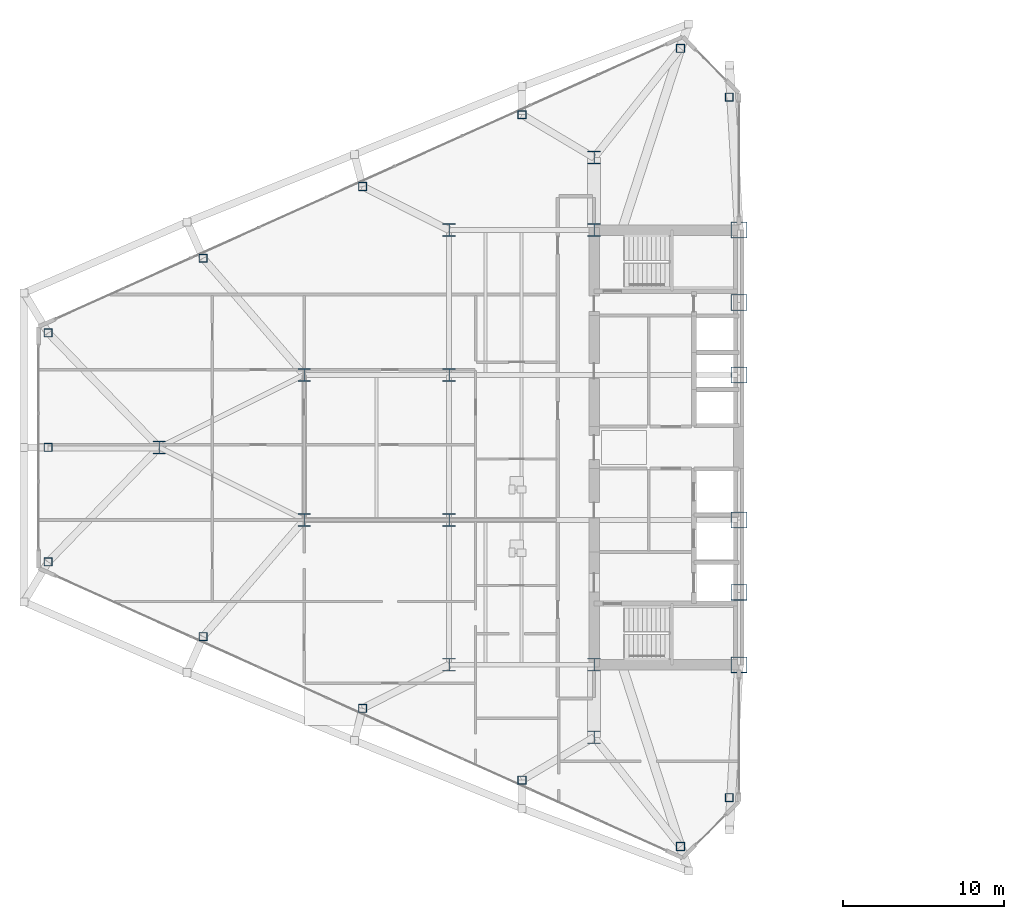
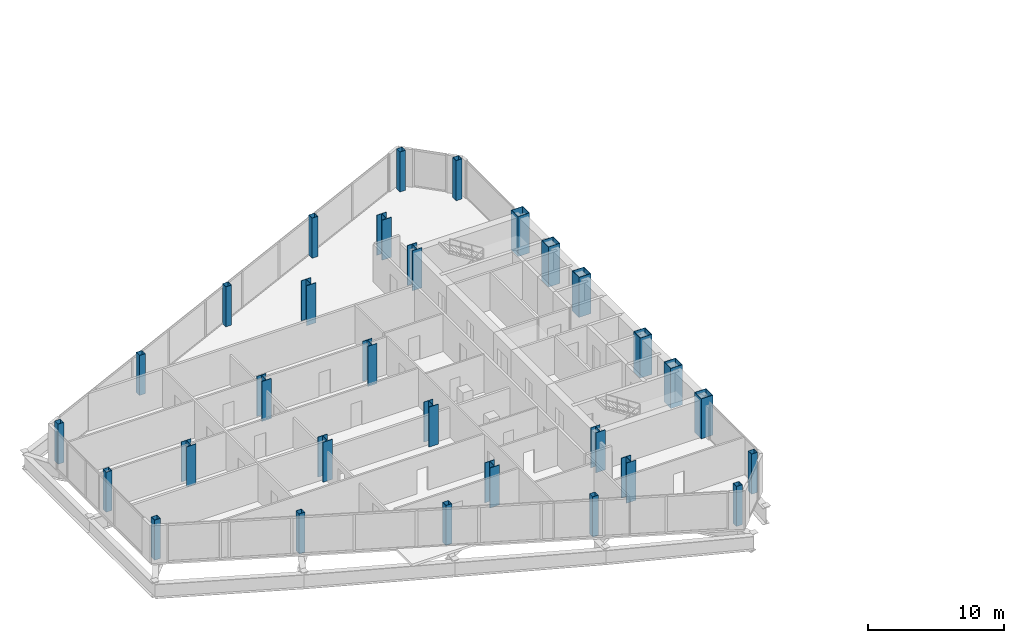
# One storey, part 1 of 29: 30 columns.
"""IFC4 building model written with IfcOpenShell, lengths in metres."""

import ifcopenshell
import ifcopenshell.guid

model = None  # the IFC model being written
_history = None  # IfcOwnerHistory: only IFC2X3 demands one
_inside = {}  # id of a spatial element -> (the spatial element, [elements in it])
_under = {}  # id of a project, library or spatial element -> (it, [spatial elements below it])
_declared = {}  # id of a project -> (the project, [libraries it declares])
_typed = {}  # id of a type object -> (the type object, [elements of that type])
_made_of = {}  # id of a material, layer set ... -> (it, [elements and type objects made of it])


def new_model(schema):
    """Start an empty IFC model of exactly this schema.

    Asked for "IFC4X3", IfcOpenShell would pick the latest addendum, in which some entities
    have other attributes; the version numbers below select the first issue.
    IFC2X3 requires an IfcOwnerHistory on every rooted entity: one is made here for all.
    """
    global model, _history
    if schema == "IFC4X3":
        model = ifcopenshell.file(schema_version=(4, 3, 0, 0))
    else:
        model = ifcopenshell.file(schema=schema)
    _inside.clear()
    _under.clear()
    _declared.clear()
    _typed.clear()
    _made_of.clear()
    _history = None
    if model.schema == "IFC2X3":
        org = make("IfcOrganization", Name="unknown")
        user = make(
            "IfcPersonAndOrganization",
            ThePerson=make("IfcPerson", FamilyName="unknown"),
            TheOrganization=org,
        )
        app = make(
            "IfcApplication",
            ApplicationDeveloper=org,
            Version="unknown",
            ApplicationFullName="unknown",
            ApplicationIdentifier="unknown",
        )
        _history = make(
            "IfcOwnerHistory",
            OwningUser=user,
            OwningApplication=app,
            ChangeAction="ADDED",
            CreationDate=0,
        )
    return model


def make(cls, **values):
    """One entity of the class cls with the attributes given. An attribute that is None is left unset."""
    return model.create_entity(
        cls, **{name: value for name, value in values.items() if value is not None}
    )


def rooted(cls, **values):
    """An entity with a GlobalId (a new one), such as an element, a storey or a relation."""
    return make(cls, GlobalId=ifcopenshell.guid.new(), OwnerHistory=_history, **values)


def si_unit(unit_type, name, prefix=None):
    """IfcSIUnit, for example si_unit("LENGTHUNIT", "METRE", prefix="MILLI")."""
    return make("IfcSIUnit", UnitType=unit_type, Prefix=prefix, Name=name)


def assignment(units):
    """IfcUnitAssignment: the units of a project."""
    return None if units is None else make("IfcUnitAssignment", Units=units)


def point(xyz):
    """IfcCartesianPoint."""
    return None if xyz is None else make("IfcCartesianPoint", Coordinates=xyz)


def direction(xyz):
    """IfcDirection."""
    return None if xyz is None else make("IfcDirection", DirectionRatios=xyz)


def frame(location, z_axis=None, x_axis=None):
    """IfcAxis2Placement3D, a coordinate frame: its origin and axes. An axis left out is left unset."""
    return make(
        "IfcAxis2Placement3D",
        Location=point(location),
        Axis=direction(z_axis),
        RefDirection=direction(x_axis),
    )


def frame_2d(location, x_axis=None):
    """IfcAxis2Placement2D, a coordinate frame in the plane: its origin and x axis."""
    return make(
        "IfcAxis2Placement2D", Location=point(location), RefDirection=direction(x_axis)
    )


def origin():
    """The frame at (0, 0, 0) with its axes left unset."""
    return frame((0.0, 0.0, 0.0))


def origin_2d():
    """The frame at (0, 0) in the plane with its x axis left unset."""
    return frame_2d((0.0, 0.0))


def place(relative_to, where):
    """IfcLocalPlacement: puts the frame where relative to a parent placement (None: the world)."""
    return make(
        "IfcLocalPlacement", PlacementRelTo=relative_to, RelativePlacement=where
    )


def context(
    kind, dimensions, precision=None, world=None, true_north=None, identifier=None
):
    """IfcGeometricRepresentationContext, for example the 3D "Model" context."""
    return make(
        "IfcGeometricRepresentationContext",
        ContextIdentifier=identifier,
        ContextType=kind,
        CoordinateSpaceDimension=dimensions,
        Precision=precision,
        WorldCoordinateSystem=world,
        TrueNorth=true_north,
    )


def subcontext(parent, identifier, kind, view, scale=None):
    """IfcGeometricRepresentationSubContext, for example "Body" below "Model"."""
    return make(
        "IfcGeometricRepresentationSubContext",
        ContextIdentifier=identifier,
        ContextType=kind,
        ParentContext=parent,
        TargetScale=scale,
        TargetView=view,
    )


def project(units=None, contexts=None):
    """IfcProject with its units and contexts."""
    return rooted(
        "IfcProject",
        Name="project",
        RepresentationContexts=contexts,
        UnitsInContext=assignment(units),
    )


def spatial(cls, under=None, at=None, **own):
    """A site, building, storey or space (cls), placed at a placement, below another one or the project."""
    s = rooted(cls, ObjectPlacement=at, **own)
    if under is not None:
        _under.setdefault(under.id(), (under, []))[1].append(s)
    return s


def profile(cls, at=None, kind="AREA", **sizes):
    """A parametric profile (cls). Its sizes go by their IFC names, for example OverallWidth=200.0."""
    return make(cls, ProfileType=kind, Position=at, **sizes)


def hollow_rectangle(**sizes):
    """IfcRectangleHollowProfileDef."""
    return profile("IfcRectangleHollowProfileDef", **sizes)


def i_section(**sizes):
    """IfcIShapeProfileDef."""
    return profile("IfcIShapeProfileDef", **sizes)


def extrude(swept, where, along, depth):
    """IfcExtrudedAreaSolid: the profile swept, set in the frame where, extruded along a direction by depth."""
    return make(
        "IfcExtrudedAreaSolid",
        SweptArea=swept,
        Position=where,
        ExtrudedDirection=direction(along),
        Depth=depth,
    )


def shape(context_of_items, identifier, shape_type, items):
    """IfcShapeRepresentation: the items that make up one representation, for example the "Body"."""
    return make(
        "IfcShapeRepresentation",
        ContextOfItems=context_of_items,
        RepresentationIdentifier=identifier,
        RepresentationType=shape_type,
        Items=items,
    )


def source(mapping_origin, context_of_items, identifier, shape_type, items):
    """IfcRepresentationMap: a shape defined once, which mapped items show again and again."""
    return make(
        "IfcRepresentationMap",
        MappingOrigin=mapping_origin,
        MappedRepresentation=shape(context_of_items, identifier, shape_type, items),
    )


def transform(
    local_origin,
    x_axis=None,
    y_axis=None,
    z_axis=None,
    scale=None,
    scale2=None,
    scale3=None,
    uniform=True,
):
    """IfcCartesianTransformationOperator3D, or its non-uniform kind. x_axis, y_axis, z_axis: its Axis1, 2, 3."""
    if uniform:
        return make(
            "IfcCartesianTransformationOperator3D",
            Axis1=direction(x_axis),
            Axis2=direction(y_axis),
            LocalOrigin=point(local_origin),
            Scale=scale,
            Axis3=direction(z_axis),
        )
    return make(
        "IfcCartesianTransformationOperator3DnonUniform",
        Axis1=direction(x_axis),
        Axis2=direction(y_axis),
        LocalOrigin=point(local_origin),
        Scale=scale,
        Axis3=direction(z_axis),
        Scale2=scale2,
        Scale3=scale3,
    )


def mapped(mapping_source, mapping_target):
    """IfcMappedItem: shows the shape of a source again, moved by a transform."""
    return make(
        "IfcMappedItem", MappingSource=mapping_source, MappingTarget=mapping_target
    )


def material(Name=None, Category=None):
    """IfcMaterial."""
    return make("IfcMaterial", Name=Name, Category=Category)


def material_profile(
    of_material, cross_section, Name=None, Category=None, Priority=None
):
    """IfcMaterialProfile: a cross section and its material."""
    return make(
        "IfcMaterialProfile",
        Name=Name,
        Material=of_material,
        Profile=cross_section,
        Priority=Priority,
        Category=Category,
    )


def profile_set(profiles, Name=None, composite=None):
    """IfcMaterialProfileSet."""
    return make(
        "IfcMaterialProfileSet",
        Name=Name,
        MaterialProfiles=profiles,
        CompositeProfile=composite,
    )


def made_of(thing, what):
    """Note that an element or type object is made of a material, layer set ...; save() writes the relation."""
    if what is not None:
        _made_of.setdefault(what.id(), (what, []))[1].append(thing)
    return thing


def type_object(cls, material=None, **own):
    """A type object (cls), such as IfcWallType, which elements share."""
    return made_of(rooted(cls, **own), material)


def type_shapes(of_type, sources):
    """Give a type object the sources (RepresentationMaps) that its elements show as mapped items."""
    of_type.RepresentationMaps = sources


def element(
    cls,
    number,
    at=None,
    inside=None,
    cuts=None,
    type_object=None,
    material=None,
    context=None,
    identifier="Body",
    shape_type=None,
    held_by="IfcProductDefinitionShape",
    body=None,
    shapes=None,
    **own,
):
    """One element of the class cls, such as IfcWall. Its Tag is "e" and its number.

    at: its placement. inside: the storey or other place that contains it. cuts: it is an
    opening in that element (IfcRelVoidsElement). A single representation is given by context,
    identifier, shape_type and body (its items); several are given by shapes. held_by: the class
    of the entity that holds the representations. save() writes the other relations.
    """
    e = rooted(cls, Tag="e%d" % number, ObjectPlacement=at, **own)
    if body is not None:
        shapes = [shape(context, identifier, shape_type, body)]
    if shapes is not None:
        e.Representation = make(held_by, Representations=shapes)
    if inside is not None:
        _inside.setdefault(inside.id(), (inside, []))[1].append(e)
    if cuts is not None:
        rooted(
            "IfcRelVoidsElement", RelatingBuildingElement=cuts, RelatedOpeningElement=e
        )
    if type_object is not None:
        _typed.setdefault(type_object.id(), (type_object, []))[1].append(e)
    return made_of(e, material)


def aggregate(whole, parts):
    """IfcRelAggregates: a whole, such as a stair, and the parts it consists of."""
    return rooted("IfcRelAggregates", RelatingObject=whole, RelatedObjects=parts)


def save(model, path):
    """Write the relations noted so far, then the file.

    IfcRelAggregates (storeys below a building ...), IfcRelContainedInSpatialStructure (elements
    in a storey), IfcRelDefinesByType, IfcRelAssociatesMaterial and IfcRelDeclares: one each for
    every whole, place, type object, material and project.
    """
    for whole, parts in _under.values():
        aggregate(whole, parts)
    for where, things in _inside.values():
        rooted(
            "IfcRelContainedInSpatialStructure",
            RelatedElements=things,
            RelatingStructure=where,
        )
    for kind, things in _typed.values():
        rooted("IfcRelDefinesByType", RelatedObjects=things, RelatingType=kind)
    for what, things in _made_of.values():
        rooted("IfcRelAssociatesMaterial", RelatedObjects=things, RelatingMaterial=what)
    for by, libraries in _declared.values():
        rooted("IfcRelDeclares", RelatingContext=by, RelatedDefinitions=libraries)
    model.write(path)


model = new_model("IFC4")

# Units and contexts
model_context = context("Model", 3, precision=1e-05, world=origin(), true_north=direction((0.0, 1.0)))
body_context = subcontext(model_context, "Body", "Model", "MODEL_VIEW")
ifc_project = project(units=[si_unit("LENGTHUNIT", "METRE"), si_unit("AREAUNIT", "SQUARE_METRE"), si_unit("VOLUMEUNIT", "CUBIC_METRE"), si_unit("PLANEANGLEUNIT", "RADIAN"), si_unit("MASSUNIT", "GRAM", prefix="KILO")], contexts=[model_context])

# Site, building, storey
site_placement = place(None, origin())
site = spatial("IfcSite", under=ifc_project, at=site_placement, CompositionType="ELEMENT")
building_placement = place(site_placement, origin())
building = spatial("IfcBuilding", under=site, at=building_placement, Name="Seokmaru Belvedere", CompositionType="ELEMENT")
storey_placement = place(building_placement, frame((0.0, 0.0, 62.10009765625)))
storey = spatial("IfcBuildingStorey", under=building, at=storey_placement, Name="L16", CompositionType="ELEMENT", Elevation=62.10009765625)

# Columns
ifc_material_1 = material(Name="Steel SM355 (355 MPa)", Category="steel")
ifc_material_profile_1 = material_profile(ifc_material_1, hollow_rectangle(XDim=0.5, YDim=0.5, WallThickness=0.02001953125, at=origin_2d()), Name="HSS-500x500x20")
ifc_profile_set_1 = profile_set([ifc_material_profile_1], Name="Steel SM355 (355 MPa)")
column_type_1 = type_object("IfcColumnType", Name="Perimeter Facet Column HSS-500", PredefinedType="COLUMN", material=ifc_profile_set_1)
shared_shape_1 = source(origin(), body_context, "Body", "SweptSolid", [
    extrude(hollow_rectangle(XDim=0.5, YDim=0.5, WallThickness=0.02001953125, at=origin_2d()), origin(), (0.0, 0.0, 1.0), 3.599853515625),
])
type_shapes(column_type_1, [shared_shape_1])
for number, where, z_axis, x_axis, name in (
    (1, (-28.10009765625, -21.75146484375, 0.0), (0.0, 0.0, 1.0), (1.0, 0.0, 0.0), "L16 Column WF1"),
    (2, (-28.10009765625, 21.75146484375, 0.0), (0.0, 0.0, 1.0), (1.0, 0.0, 0.0), "L16 Column WF2"),
    (3, (-31.13134765625, 24.782958984375, 0.0), (0.0, 0.0, 1.0), (1.0, 0.0, 0.0), "L16 Column WF3"),
    (4, (-70.39990234375, 7.112060546875, 0.0), (0.0, 0.0, 1.0), (1.0, 0.0, 0.0), "L16 Column WF4"),
    (5, (-70.39990234375, -7.112060546875, 0.0), (0.0, 0.0, 1.0), (1.0, 0.0, 0.0), "L16 Column WF5"),
    (6, (-31.13134765625, -24.782958984375, 0.0), (0.0, 0.0, 1.0), (1.0, 0.0, 0.0), "L16 Column WF6"),
    (7, (-40.97265625, -20.661376953125, 0.0), (0.0, 0.0, 1.0), (1.0, 0.0, 0.0), "L16 Column WFLK_S1"),
    (8, (-50.875, -16.205322265625, 0.0), (0.0, 0.0, 1.0), (1.0, 0.0, 0.0), "L16 Column WFLK_S2"),
    (9, (-60.777587890625, -11.749267578125, 0.0), (0.0, 0.0, 1.0), (1.0, 0.0, 0.0), "L16 Column WFLK_S3"),
    (10, (-40.97265625, 20.661376953125, 0.0), (0.0, 0.0, 1.0), (1.0, 0.0, 0.0), "L16 Column WFLK_N1"),
    (11, (-50.875, 16.205322265625, 0.0), (0.0, 0.0, 1.0), (1.0, 0.0, 0.0), "L16 Column WFLK_N2"),
    (12, (-60.777587890625, 11.749267578125, 0.0), (0.0, 0.0, 1.0), (1.0, 0.0, 0.0), "L16 Column WFLK_N3"),
    (13, (-70.39990234375, 0.0, 0.0), (0.0, 0.0, 1.0), (1.0, 0.0, 0.0), "L16 Column WF_APXM"),
):
    element("IfcColumn", number, at=place(storey_placement, frame(where, z_axis=z_axis, x_axis=x_axis)), inside=storey, type_object=column_type_1, Name=name, PredefinedType="COLUMN", context=body_context, shape_type="MappedRepresentation", body=[
        mapped(shared_shape_1, transform((0.0, 0.0, 0.0), scale=1.0)),
    ])
ifc_material_2 = material(Name="Steel HSA650 (650 MPa)", Category="steel")
ifc_material_profile_2 = material_profile(ifc_material_2, hollow_rectangle(XDim=1.0, YDim=1.0, WallThickness=0.0419921875, at=origin_2d()), Name="BOX-1000x1000x42")
ifc_profile_set_2 = profile_set([ifc_material_profile_2], Name="Steel HSA650 (650 MPa)")
column_type_2 = type_object("IfcColumnType", Name="Portal Spine Column BOX-1000", PredefinedType="COLUMN", material=ifc_profile_set_2)
shared_shape_2 = source(origin(), body_context, "Body", "SweptSolid", [
    extrude(hollow_rectangle(XDim=1.0, YDim=1.0, WallThickness=0.0419921875, at=origin_2d()), origin(), (0.0, 0.0, 1.0), 3.599853515625),
])
type_shapes(column_type_2, [shared_shape_2])
for number, where, z_axis, x_axis, name in (
    (14, (-27.5, -13.5, 0.0), (0.0, 0.0, 1.0), (1.0, 0.0, 0.0), "L16 Column WS1"),
    (15, (-27.5, -9.0, 0.0), (0.0, 0.0, 1.0), (1.0, 0.0, 0.0), "L16 Column WS2"),
    (16, (-27.5, -4.5, 0.0), (0.0, 0.0, 1.0), (1.0, 0.0, 0.0), "L16 Column WS3"),
    (17, (-27.5, 4.5, 0.0), (0.0, 0.0, 1.0), (1.0, 0.0, 0.0), "L16 Column WS4"),
    (18, (-27.5, 9.0, 0.0), (0.0, 0.0, 1.0), (1.0, 0.0, 0.0), "L16 Column WS5"),
    (19, (-27.5, 13.5, 0.0), (0.0, 0.0, 1.0), (1.0, 0.0, 0.0), "L16 Column WS6"),
):
    element("IfcColumn", number, at=place(storey_placement, frame(where, z_axis=z_axis, x_axis=x_axis)), inside=storey, type_object=column_type_2, Name=name, PredefinedType="COLUMN", context=body_context, shape_type="MappedRepresentation", body=[
        mapped(shared_shape_2, transform((0.0, 0.0, 0.0), scale=1.0)),
    ])
ifc_material_profile_3 = material_profile(ifc_material_1, i_section(OverallWidth=0.800048828125, OverallDepth=0.800048828125, WebThickness=0.031982421875, FlangeThickness=0.050048828125, at=origin_2d()), Name="H-800x800x32x50")
ifc_profile_set_3 = profile_set([ifc_material_profile_3], Name="Steel SM355 (355 MPa)")
column_type_3 = type_object("IfcColumnType", Name="Lower-Mid Interior Column H-800", PredefinedType="COLUMN", material=ifc_profile_set_3)
shared_shape_3 = source(origin(), body_context, "Body", "SweptSolid", [
    extrude(i_section(OverallWidth=0.800048828125, OverallDepth=0.800048828125, WebThickness=0.031982421875, FlangeThickness=0.050048828125, at=origin_2d()), origin(), (0.0, 0.0, 1.0), 3.599853515625),
])
type_shapes(column_type_3, [shared_shape_3])
for number, where, z_axis, x_axis, name in (
    (20, (-36.5, -18.0, 0.0), (0.0, 0.0, 1.0), (1.0, 0.0, 0.0), "L16 Column WC1"),
    (21, (-36.5, -13.5, 0.0), (0.0, 0.0, 1.0), (1.0, 0.0, 0.0), "L16 Column WC2"),
    (22, (-36.5, 13.5, 0.0), (0.0, 0.0, 1.0), (1.0, 0.0, 0.0), "L16 Column WC3"),
    (23, (-36.5, 18.0, 0.0), (0.0, 0.0, 1.0), (1.0, 0.0, 0.0), "L16 Column WC4"),
    (24, (-45.5, -13.5, 0.0), (0.0, 0.0, 1.0), (1.0, 0.0, 0.0), "L16 Column WG5_1"),
    (25, (-45.5, -4.5, 0.0), (0.0, 0.0, 1.0), (1.0, 0.0, 0.0), "L16 Column WG5_2"),
    (26, (-45.5, 4.5, 0.0), (0.0, 0.0, 1.0), (1.0, 0.0, 0.0), "L16 Column WG5_3"),
    (27, (-45.5, 13.5, 0.0), (0.0, 0.0, 1.0), (1.0, 0.0, 0.0), "L16 Column WG5_4"),
    (28, (-54.5, -4.5, 0.0), (0.0, 0.0, 1.0), (1.0, 0.0, 0.0), "L16 Column WG4P_1"),
    (29, (-54.5, 4.5, 0.0), (0.0, 0.0, 1.0), (1.0, 0.0, 0.0), "L16 Column WG4P_2"),
    (30, (-63.5, 0.0, 0.0), (0.0, 0.0, 1.0), (1.0, 0.0, 0.0), "L16 Column WG3P_1"),
):
    element("IfcColumn", number, at=place(storey_placement, frame(where, z_axis=z_axis, x_axis=x_axis)), inside=storey, type_object=column_type_3, Name=name, PredefinedType="COLUMN", context=body_context, shape_type="MappedRepresentation", body=[
        mapped(shared_shape_3, transform((0.0, 0.0, 0.0), scale=1.0)),
    ])

save(model, "model.ifc")
